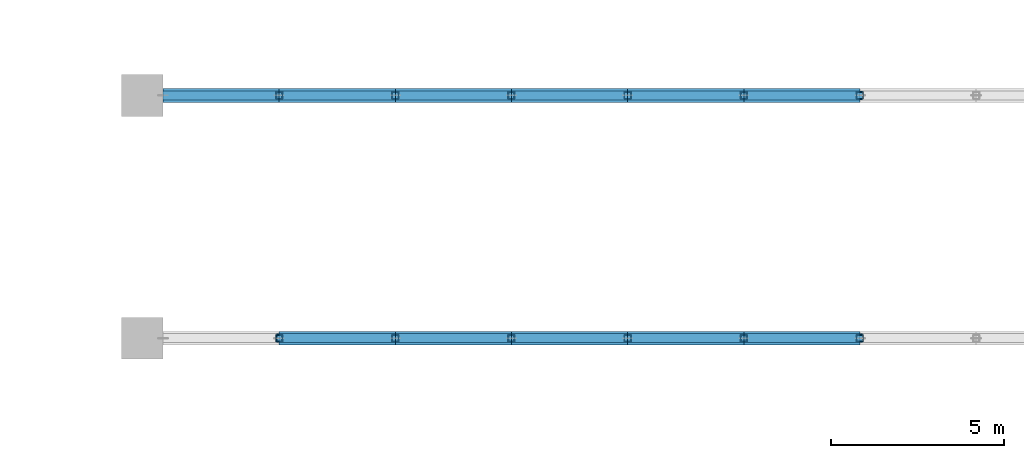
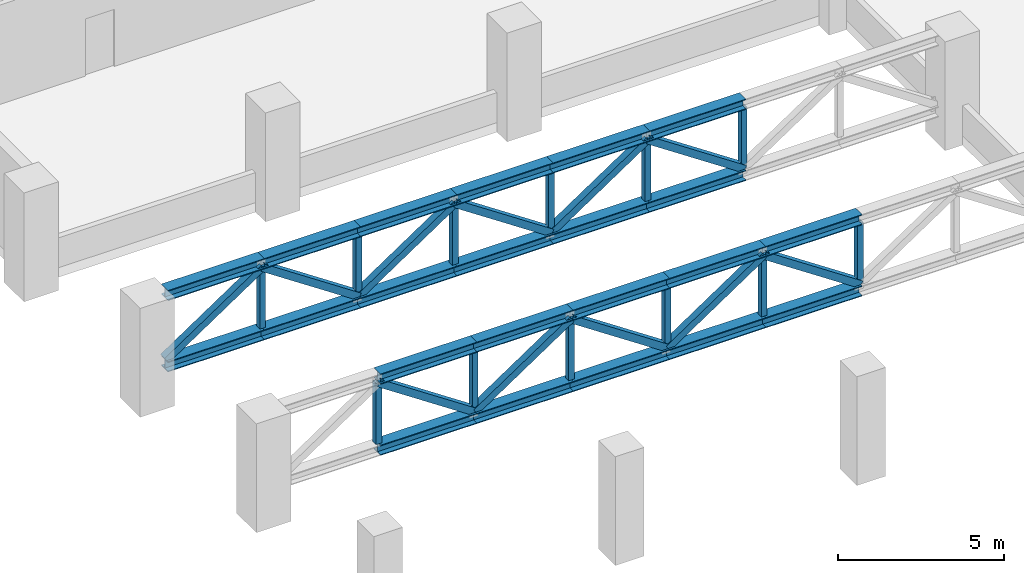
# One storey, part 2 of 24: 45 members.
"""IFC4 building model written with IfcOpenShell, lengths in metres."""

import ifcopenshell
import ifcopenshell.guid

model = None  # the IFC model being written
_history = None  # IfcOwnerHistory: only IFC2X3 demands one
_inside = {}  # id of a spatial element -> (the spatial element, [elements in it])
_under = {}  # id of a project, library or spatial element -> (it, [spatial elements below it])
_declared = {}  # id of a project -> (the project, [libraries it declares])
_typed = {}  # id of a type object -> (the type object, [elements of that type])
_made_of = {}  # id of a material, layer set ... -> (it, [elements and type objects made of it])


def new_model(schema):
    """Start an empty IFC model of exactly this schema.

    Asked for "IFC4X3", IfcOpenShell would pick the latest addendum, in which some entities
    have other attributes; the version numbers below select the first issue.
    IFC2X3 requires an IfcOwnerHistory on every rooted entity: one is made here for all.
    """
    global model, _history
    if schema == "IFC4X3":
        model = ifcopenshell.file(schema_version=(4, 3, 0, 0))
    else:
        model = ifcopenshell.file(schema=schema)
    _inside.clear()
    _under.clear()
    _declared.clear()
    _typed.clear()
    _made_of.clear()
    _history = None
    if model.schema == "IFC2X3":
        org = make("IfcOrganization", Name="unknown")
        user = make(
            "IfcPersonAndOrganization",
            ThePerson=make("IfcPerson", FamilyName="unknown"),
            TheOrganization=org,
        )
        app = make(
            "IfcApplication",
            ApplicationDeveloper=org,
            Version="unknown",
            ApplicationFullName="unknown",
            ApplicationIdentifier="unknown",
        )
        _history = make(
            "IfcOwnerHistory",
            OwningUser=user,
            OwningApplication=app,
            ChangeAction="ADDED",
            CreationDate=0,
        )
    return model


def make(cls, **values):
    """One entity of the class cls with the attributes given. An attribute that is None is left unset."""
    return model.create_entity(
        cls, **{name: value for name, value in values.items() if value is not None}
    )


def rooted(cls, **values):
    """An entity with a GlobalId (a new one), such as an element, a storey or a relation."""
    return make(cls, GlobalId=ifcopenshell.guid.new(), OwnerHistory=_history, **values)


def si_unit(unit_type, name, prefix=None):
    """IfcSIUnit, for example si_unit("LENGTHUNIT", "METRE", prefix="MILLI")."""
    return make("IfcSIUnit", UnitType=unit_type, Prefix=prefix, Name=name)


def assignment(units):
    """IfcUnitAssignment: the units of a project."""
    return None if units is None else make("IfcUnitAssignment", Units=units)


def point(xyz):
    """IfcCartesianPoint."""
    return None if xyz is None else make("IfcCartesianPoint", Coordinates=xyz)


def direction(xyz):
    """IfcDirection."""
    return None if xyz is None else make("IfcDirection", DirectionRatios=xyz)


def frame(location, z_axis=None, x_axis=None):
    """IfcAxis2Placement3D, a coordinate frame: its origin and axes. An axis left out is left unset."""
    return make(
        "IfcAxis2Placement3D",
        Location=point(location),
        Axis=direction(z_axis),
        RefDirection=direction(x_axis),
    )


def frame_2d(location, x_axis=None):
    """IfcAxis2Placement2D, a coordinate frame in the plane: its origin and x axis."""
    return make(
        "IfcAxis2Placement2D", Location=point(location), RefDirection=direction(x_axis)
    )


def origin():
    """The frame at (0, 0, 0) with its axes left unset."""
    return frame((0.0, 0.0, 0.0))


def origin_2d():
    """The frame at (0, 0) in the plane with its x axis left unset."""
    return frame_2d((0.0, 0.0))


def place(relative_to, where):
    """IfcLocalPlacement: puts the frame where relative to a parent placement (None: the world)."""
    return make(
        "IfcLocalPlacement", PlacementRelTo=relative_to, RelativePlacement=where
    )


def context(
    kind, dimensions, precision=None, world=None, true_north=None, identifier=None
):
    """IfcGeometricRepresentationContext, for example the 3D "Model" context."""
    return make(
        "IfcGeometricRepresentationContext",
        ContextIdentifier=identifier,
        ContextType=kind,
        CoordinateSpaceDimension=dimensions,
        Precision=precision,
        WorldCoordinateSystem=world,
        TrueNorth=true_north,
    )


def subcontext(parent, identifier, kind, view, scale=None):
    """IfcGeometricRepresentationSubContext, for example "Body" below "Model"."""
    return make(
        "IfcGeometricRepresentationSubContext",
        ContextIdentifier=identifier,
        ContextType=kind,
        ParentContext=parent,
        TargetScale=scale,
        TargetView=view,
    )


def project(units=None, contexts=None):
    """IfcProject with its units and contexts."""
    return rooted(
        "IfcProject",
        Name="project",
        RepresentationContexts=contexts,
        UnitsInContext=assignment(units),
    )


def spatial(cls, under=None, at=None, **own):
    """A site, building, storey or space (cls), placed at a placement, below another one or the project."""
    s = rooted(cls, ObjectPlacement=at, **own)
    if under is not None:
        _under.setdefault(under.id(), (under, []))[1].append(s)
    return s


def profile(cls, at=None, kind="AREA", **sizes):
    """A parametric profile (cls). Its sizes go by their IFC names, for example OverallWidth=200.0."""
    return make(cls, ProfileType=kind, Position=at, **sizes)


def hollow_rectangle(**sizes):
    """IfcRectangleHollowProfileDef."""
    return profile("IfcRectangleHollowProfileDef", **sizes)


def i_section(**sizes):
    """IfcIShapeProfileDef."""
    return profile("IfcIShapeProfileDef", **sizes)


def extrude(swept, where, along, depth):
    """IfcExtrudedAreaSolid: the profile swept, set in the frame where, extruded along a direction by depth."""
    return make(
        "IfcExtrudedAreaSolid",
        SweptArea=swept,
        Position=where,
        ExtrudedDirection=direction(along),
        Depth=depth,
    )


def shape(context_of_items, identifier, shape_type, items):
    """IfcShapeRepresentation: the items that make up one representation, for example the "Body"."""
    return make(
        "IfcShapeRepresentation",
        ContextOfItems=context_of_items,
        RepresentationIdentifier=identifier,
        RepresentationType=shape_type,
        Items=items,
    )


def material(Name=None, Category=None):
    """IfcMaterial."""
    return make("IfcMaterial", Name=Name, Category=Category)


def material_profile(
    of_material, cross_section, Name=None, Category=None, Priority=None
):
    """IfcMaterialProfile: a cross section and its material."""
    return make(
        "IfcMaterialProfile",
        Name=Name,
        Material=of_material,
        Profile=cross_section,
        Priority=Priority,
        Category=Category,
    )


def profile_set(profiles, Name=None, composite=None):
    """IfcMaterialProfileSet."""
    return make(
        "IfcMaterialProfileSet",
        Name=Name,
        MaterialProfiles=profiles,
        CompositeProfile=composite,
    )


def made_of(thing, what):
    """Note that an element or type object is made of a material, layer set ...; save() writes the relation."""
    if what is not None:
        _made_of.setdefault(what.id(), (what, []))[1].append(thing)
    return thing


def type_object(cls, material=None, **own):
    """A type object (cls), such as IfcWallType, which elements share."""
    return made_of(rooted(cls, **own), material)


def element(
    cls,
    number,
    at=None,
    inside=None,
    cuts=None,
    type_object=None,
    material=None,
    context=None,
    identifier="Body",
    shape_type=None,
    held_by="IfcProductDefinitionShape",
    body=None,
    shapes=None,
    **own,
):
    """One element of the class cls, such as IfcWall. Its Tag is "e" and its number.

    at: its placement. inside: the storey or other place that contains it. cuts: it is an
    opening in that element (IfcRelVoidsElement). A single representation is given by context,
    identifier, shape_type and body (its items); several are given by shapes. held_by: the class
    of the entity that holds the representations. save() writes the other relations.
    """
    e = rooted(cls, Tag="e%d" % number, ObjectPlacement=at, **own)
    if body is not None:
        shapes = [shape(context, identifier, shape_type, body)]
    if shapes is not None:
        e.Representation = make(held_by, Representations=shapes)
    if inside is not None:
        _inside.setdefault(inside.id(), (inside, []))[1].append(e)
    if cuts is not None:
        rooted(
            "IfcRelVoidsElement", RelatingBuildingElement=cuts, RelatedOpeningElement=e
        )
    if type_object is not None:
        _typed.setdefault(type_object.id(), (type_object, []))[1].append(e)
    return made_of(e, material)


def aggregate(whole, parts):
    """IfcRelAggregates: a whole, such as a stair, and the parts it consists of."""
    return rooted("IfcRelAggregates", RelatingObject=whole, RelatedObjects=parts)


def save(model, path):
    """Write the relations noted so far, then the file.

    IfcRelAggregates (storeys below a building ...), IfcRelContainedInSpatialStructure (elements
    in a storey), IfcRelDefinesByType, IfcRelAssociatesMaterial and IfcRelDeclares: one each for
    every whole, place, type object, material and project.
    """
    for whole, parts in _under.values():
        aggregate(whole, parts)
    for where, things in _inside.values():
        rooted(
            "IfcRelContainedInSpatialStructure",
            RelatedElements=things,
            RelatingStructure=where,
        )
    for kind, things in _typed.values():
        rooted("IfcRelDefinesByType", RelatedObjects=things, RelatingType=kind)
    for what, things in _made_of.values():
        rooted("IfcRelAssociatesMaterial", RelatedObjects=things, RelatingMaterial=what)
    for by, libraries in _declared.values():
        rooted("IfcRelDeclares", RelatingContext=by, RelatedDefinitions=libraries)
    model.write(path)


model = new_model("IFC4")

# Units and contexts
model_context = context("Model", 3, precision=1e-05, world=origin(), true_north=direction((0.0, 1.0)))
body_context = subcontext(model_context, "Body", "Model", "MODEL_VIEW")
ifc_project = project(units=[si_unit("LENGTHUNIT", "METRE"), si_unit("AREAUNIT", "SQUARE_METRE"), si_unit("VOLUMEUNIT", "CUBIC_METRE"), si_unit("PLANEANGLEUNIT", "RADIAN"), si_unit("MASSUNIT", "GRAM", prefix="KILO")], contexts=[model_context])

# Site, building, storey
site_placement = place(None, origin())
site = spatial("IfcSite", under=ifc_project, at=site_placement, CompositionType="ELEMENT")
building_placement = place(site_placement, origin())
building = spatial("IfcBuilding", under=site, at=building_placement, Name="Ostrander Bayou Hotel Tower", CompositionType="ELEMENT")
storey_placement = place(building_placement, frame((0.0, 0.0, 6.0)))
storey = spatial("IfcBuildingStorey", under=building, at=storey_placement, Name="L01", CompositionType="ELEMENT", Elevation=6.0)

# Members
ifc_material_1 = material(Name="Steel ASTM A992", Category="steel")
ifc_material_profile_1 = material_profile(ifc_material_1, i_section(OverallWidth=0.3955078125, OverallDepth=0.38037109375, WebThickness=0.01904296875, FlangeThickness=0.0302734375, at=origin_2d()))
ifc_profile_set_1 = profile_set([ifc_material_profile_1], Name="Steel ASTM A992")
member_type_1 = type_object("IfcMemberType", Name="BR1 ballroom truss chord W14x159", PredefinedType="CHORD", material=ifc_profile_set_1)
for number, where, z_axis, x_axis, name in (
    (1, (-38.050048828125, -43.39990234375, 0.840087890625), (1.0, 0.0, 0.0), (0.0, 1.0, 0.0), "BR1 T1 B2"),
    (2, (-38.050048828125, -43.39990234375, 3.459716796875), (1.0, 0.0, 0.0), (0.0, 1.0, 0.0), "BR1 T1 T2"),
):
    element("IfcMember", number, at=place(storey_placement, frame(where, z_axis=z_axis, x_axis=x_axis)), inside=storey, type_object=member_type_1, Name=name, PredefinedType="CHORD", context=body_context, shape_type="SweptSolid", body=[
        extrude(i_section(OverallWidth=0.3955078125, OverallDepth=0.38037109375, WebThickness=0.01904296875, FlangeThickness=0.0302734375, at=origin_2d()), origin(), (0.0, 0.0, 1.0), 3.35009765625),
    ])
for number, where, z_axis, x_axis, name in (
    (3, (-34.699951171875, -43.39990234375, 0.840087890625), (1.0, 0.0, 0.0), (0.0, 1.0, 0.0), "BR1 T1 B3"),
    (4, (-34.699951171875, -43.39990234375, 3.459716796875), (1.0, 0.0, 0.0), (0.0, 1.0, 0.0), "BR1 T1 T3"),
):
    element("IfcMember", number, at=place(storey_placement, frame(where, z_axis=z_axis, x_axis=x_axis)), inside=storey, type_object=member_type_1, Name=name, PredefinedType="CHORD", context=body_context, shape_type="SweptSolid", body=[
        extrude(i_section(OverallWidth=0.3955078125, OverallDepth=0.38037109375, WebThickness=0.01904296875, FlangeThickness=0.0302734375, at=origin_2d()), origin(), (0.0, 0.0, 1.0), 3.349853515625),
    ])
for number, where, z_axis, x_axis, name in (
    (5, (-31.35009765625, -43.39990234375, 0.840087890625), (1.0, 0.0, 0.0), (0.0, 1.0, 0.0), "BR1 T1 B4"),
    (6, (-31.35009765625, -43.39990234375, 3.459716796875), (1.0, 0.0, 0.0), (0.0, 1.0, 0.0), "BR1 T1 T4"),
    (7, (-28.0, -43.39990234375, 0.840087890625), (1.0, 0.0, 0.0), (0.0, 1.0, 0.0), "BR1 T1 B5"),
    (8, (-28.0, -43.39990234375, 3.459716796875), (1.0, 0.0, 0.0), (0.0, 1.0, 0.0), "BR1 T1 T5"),
):
    element("IfcMember", number, at=place(storey_placement, frame(where, z_axis=z_axis, x_axis=x_axis)), inside=storey, type_object=member_type_1, Name=name, PredefinedType="CHORD", context=body_context, shape_type="SweptSolid", body=[
        extrude(i_section(OverallWidth=0.3955078125, OverallDepth=0.38037109375, WebThickness=0.01904296875, FlangeThickness=0.0302734375, at=origin_2d()), origin(), (0.0, 0.0, 1.0), 3.35009765625),
    ])
for number, where, z_axis, x_axis, name in (
    (9, (-24.64990234375, -43.39990234375, 0.840087890625), (1.0, 0.0, 0.0), (0.0, 1.0, 0.0), "BR1 T1 B6"),
    (10, (-24.64990234375, -43.39990234375, 3.459716796875), (1.0, 0.0, 0.0), (0.0, 1.0, 0.0), "BR1 T1 T6"),
    (11, (-41.39990234375, -36.39990234375, 0.840087890625), (1.0, 0.0, 0.0), (0.0, 1.0, 0.0), "BR1 T2 B1"),
    (12, (-41.39990234375, -36.39990234375, 3.459716796875), (1.0, 0.0, 0.0), (0.0, 1.0, 0.0), "BR1 T2 T1"),
):
    element("IfcMember", number, at=place(storey_placement, frame(where, z_axis=z_axis, x_axis=x_axis)), inside=storey, type_object=member_type_1, Name=name, PredefinedType="CHORD", context=body_context, shape_type="SweptSolid", body=[
        extrude(i_section(OverallWidth=0.3955078125, OverallDepth=0.38037109375, WebThickness=0.01904296875, FlangeThickness=0.0302734375, at=origin_2d()), origin(), (0.0, 0.0, 1.0), 3.349853515625),
    ])
for number, where, z_axis, x_axis, name in (
    (13, (-38.050048828125, -36.39990234375, 0.840087890625), (1.0, 0.0, 0.0), (0.0, 1.0, 0.0), "BR1 T2 B2"),
    (14, (-38.050048828125, -36.39990234375, 3.459716796875), (1.0, 0.0, 0.0), (0.0, 1.0, 0.0), "BR1 T2 T2"),
):
    element("IfcMember", number, at=place(storey_placement, frame(where, z_axis=z_axis, x_axis=x_axis)), inside=storey, type_object=member_type_1, Name=name, PredefinedType="CHORD", context=body_context, shape_type="SweptSolid", body=[
        extrude(i_section(OverallWidth=0.3955078125, OverallDepth=0.38037109375, WebThickness=0.01904296875, FlangeThickness=0.0302734375, at=origin_2d()), origin(), (0.0, 0.0, 1.0), 3.35009765625),
    ])
for number, where, z_axis, x_axis, name in (
    (15, (-34.699951171875, -36.39990234375, 0.840087890625), (1.0, 0.0, 0.0), (0.0, 1.0, 0.0), "BR1 T2 B3"),
    (16, (-34.699951171875, -36.39990234375, 3.459716796875), (1.0, 0.0, 0.0), (0.0, 1.0, 0.0), "BR1 T2 T3"),
):
    element("IfcMember", number, at=place(storey_placement, frame(where, z_axis=z_axis, x_axis=x_axis)), inside=storey, type_object=member_type_1, Name=name, PredefinedType="CHORD", context=body_context, shape_type="SweptSolid", body=[
        extrude(i_section(OverallWidth=0.3955078125, OverallDepth=0.38037109375, WebThickness=0.01904296875, FlangeThickness=0.0302734375, at=origin_2d()), origin(), (0.0, 0.0, 1.0), 3.349853515625),
    ])
for number, where, z_axis, x_axis, name in (
    (17, (-31.35009765625, -36.39990234375, 0.840087890625), (1.0, 0.0, 0.0), (0.0, 1.0, 0.0), "BR1 T2 B4"),
    (18, (-31.35009765625, -36.39990234375, 3.459716796875), (1.0, 0.0, 0.0), (0.0, 1.0, 0.0), "BR1 T2 T4"),
    (19, (-28.0, -36.39990234375, 0.840087890625), (1.0, 0.0, 0.0), (0.0, 1.0, 0.0), "BR1 T2 B5"),
    (20, (-28.0, -36.39990234375, 3.459716796875), (1.0, 0.0, 0.0), (0.0, 1.0, 0.0), "BR1 T2 T5"),
):
    element("IfcMember", number, at=place(storey_placement, frame(where, z_axis=z_axis, x_axis=x_axis)), inside=storey, type_object=member_type_1, Name=name, PredefinedType="CHORD", context=body_context, shape_type="SweptSolid", body=[
        extrude(i_section(OverallWidth=0.3955078125, OverallDepth=0.38037109375, WebThickness=0.01904296875, FlangeThickness=0.0302734375, at=origin_2d()), origin(), (0.0, 0.0, 1.0), 3.35009765625),
    ])
for number, where, z_axis, x_axis, name in (
    (21, (-24.64990234375, -36.39990234375, 0.840087890625), (1.0, 0.0, 0.0), (0.0, 1.0, 0.0), "BR1 T2 B6"),
    (22, (-24.64990234375, -36.39990234375, 3.459716796875), (1.0, 0.0, 0.0), (0.0, 1.0, 0.0), "BR1 T2 T6"),
):
    element("IfcMember", number, at=place(storey_placement, frame(where, z_axis=z_axis, x_axis=x_axis)), inside=storey, type_object=member_type_1, Name=name, PredefinedType="CHORD", context=body_context, shape_type="SweptSolid", body=[
        extrude(i_section(OverallWidth=0.3955078125, OverallDepth=0.38037109375, WebThickness=0.01904296875, FlangeThickness=0.0302734375, at=origin_2d()), origin(), (0.0, 0.0, 1.0), 3.349853515625),
    ])
ifc_material_2 = material(Name="Steel ASTM A500 Gr C", Category="steel")
ifc_material_profile_2 = material_profile(ifc_material_2, hollow_rectangle(XDim=0.25390625, YDim=0.25390625, WallThickness=0.01171875, at=origin_2d()))
ifc_profile_set_2 = profile_set([ifc_material_profile_2], Name="Steel ASTM A500 Gr C")
member_type_2 = type_object("IfcMemberType", Name="BR2 ballroom truss diagonal HSS10x10x1/2", PredefinedType="BRACE", material=ifc_profile_set_2)
member_1_placement = place(storey_placement, frame((-34.699951171875, -43.39990234375, 1.030517578125), z_axis=(-0.831406556146, 0.0, 0.555664591635), x_axis=(0.0, -1.0, 0.0)))
element("IfcMember", 23, at=member_1_placement, inside=storey, type_object=member_type_2, Name="BR2 T1 D2", PredefinedType="BRACE", context=body_context, shape_type="SweptSolid", body=[
    extrude(hollow_rectangle(XDim=0.25390625, YDim=0.25390625, WallThickness=0.01171875, at=origin_2d()), origin(), (0.0, 0.0, 1.0), 4.029541015625),
])
member_2_placement = place(storey_placement, frame((-34.699951171875, -43.39990234375, 1.030517578125), z_axis=(0.831387846986, 0.0, 0.555692583974), x_axis=(0.0, 1.0, 0.0)))
element("IfcMember", 24, at=member_2_placement, inside=storey, type_object=member_type_2, Name="BR2 T1 D3", PredefinedType="BRACE", context=body_context, shape_type="SweptSolid", body=[
    extrude(hollow_rectangle(XDim=0.25390625, YDim=0.25390625, WallThickness=0.01171875, at=origin_2d()), origin(), (0.0, 0.0, 1.0), 4.029296875),
])
for number, where, z_axis, x_axis, name in (
    (25, (-28.0, -43.39990234375, 1.030517578125), (-0.831406556146, 0.0, 0.555664591635), (0.0, -1.0, 0.0), "BR2 T1 D4"),
    (26, (-28.0, -43.39990234375, 1.030517578125), (0.831406556146, 0.0, 0.555664591635), (0.0, 1.0, 0.0), "BR2 T1 D5"),
):
    element("IfcMember", number, at=place(storey_placement, frame(where, z_axis=z_axis, x_axis=x_axis)), inside=storey, type_object=member_type_2, Name=name, PredefinedType="BRACE", context=body_context, shape_type="SweptSolid", body=[
        extrude(hollow_rectangle(XDim=0.25390625, YDim=0.25390625, WallThickness=0.01171875, at=origin_2d()), origin(), (0.0, 0.0, 1.0), 4.029541015625),
    ])
for number, where, z_axis, x_axis, name in (
    (27, (-21.300048828125, -43.39990234375, 1.030517578125), (-0.831387846986, 0.0, 0.555692583974), (0.0, -1.0, 0.0), "BR2 T1 D6"),
    (28, (-41.39990234375, -36.39990234375, 1.030517578125), (0.831387846986, 0.0, 0.555692583974), (0.0, 1.0, 0.0), "BR2 T2 D1"),
):
    element("IfcMember", number, at=place(storey_placement, frame(where, z_axis=z_axis, x_axis=x_axis)), inside=storey, type_object=member_type_2, Name=name, PredefinedType="BRACE", context=body_context, shape_type="SweptSolid", body=[
        extrude(hollow_rectangle(XDim=0.25390625, YDim=0.25390625, WallThickness=0.01171875, at=origin_2d()), origin(), (0.0, 0.0, 1.0), 4.029296875),
    ])
member_3_placement = place(storey_placement, frame((-34.699951171875, -36.39990234375, 1.030517578125), z_axis=(-0.831406556146, 0.0, 0.555664591635), x_axis=(0.0, -1.0, 0.0)))
element("IfcMember", 29, at=member_3_placement, inside=storey, type_object=member_type_2, Name="BR2 T2 D2", PredefinedType="BRACE", context=body_context, shape_type="SweptSolid", body=[
    extrude(hollow_rectangle(XDim=0.25390625, YDim=0.25390625, WallThickness=0.01171875, at=origin_2d()), origin(), (0.0, 0.0, 1.0), 4.029541015625),
])
member_4_placement = place(storey_placement, frame((-34.699951171875, -36.39990234375, 1.030517578125), z_axis=(0.831387846986, 0.0, 0.555692583974), x_axis=(0.0, 1.0, 0.0)))
element("IfcMember", 30, at=member_4_placement, inside=storey, type_object=member_type_2, Name="BR2 T2 D3", PredefinedType="BRACE", context=body_context, shape_type="SweptSolid", body=[
    extrude(hollow_rectangle(XDim=0.25390625, YDim=0.25390625, WallThickness=0.01171875, at=origin_2d()), origin(), (0.0, 0.0, 1.0), 4.029296875),
])
for number, where, z_axis, x_axis, name in (
    (31, (-28.0, -36.39990234375, 1.030517578125), (-0.831406556146, 0.0, 0.555664591635), (0.0, -1.0, 0.0), "BR2 T2 D4"),
    (32, (-28.0, -36.39990234375, 1.030517578125), (0.831406556146, 0.0, 0.555664591635), (0.0, 1.0, 0.0), "BR2 T2 D5"),
):
    element("IfcMember", number, at=place(storey_placement, frame(where, z_axis=z_axis, x_axis=x_axis)), inside=storey, type_object=member_type_2, Name=name, PredefinedType="BRACE", context=body_context, shape_type="SweptSolid", body=[
        extrude(hollow_rectangle(XDim=0.25390625, YDim=0.25390625, WallThickness=0.01171875, at=origin_2d()), origin(), (0.0, 0.0, 1.0), 4.029541015625),
    ])
member_5_placement = place(storey_placement, frame((-21.300048828125, -36.39990234375, 1.030517578125), z_axis=(-0.831387846986, 0.0, 0.555692583974), x_axis=(0.0, -1.0, 0.0)))
element("IfcMember", 33, at=member_5_placement, inside=storey, type_object=member_type_2, Name="BR2 T2 D6", PredefinedType="BRACE", context=body_context, shape_type="SweptSolid", body=[
    extrude(hollow_rectangle(XDim=0.25390625, YDim=0.25390625, WallThickness=0.01171875, at=origin_2d()), origin(), (0.0, 0.0, 1.0), 4.029296875),
])
ifc_material_3 = material(Name="Steel ASTM A500 Gr C", Category="steel")
ifc_material_profile_3 = material_profile(ifc_material_3, hollow_rectangle(XDim=0.203125, YDim=0.203125, WallThickness=0.01171875, at=origin_2d()))
ifc_profile_set_3 = profile_set([ifc_material_profile_3], Name="Steel ASTM A500 Gr C")
member_type_3 = type_object("IfcMemberType", Name="BR3 ballroom truss post HSS8x8x1/2", PredefinedType="POST", material=ifc_profile_set_3)
for number, where, z_axis, x_axis, name in (
    (34, (-38.050048828125, -43.39990234375, 1.030517578125), (0.0, 0.0, 1.0), (1.0, 0.0, 0.0), "BR3 T1 P1"),
    (35, (-34.699951171875, -43.39990234375, 1.030517578125), (0.0, 0.0, 1.0), (1.0, 0.0, 0.0), "BR3 T1 P2"),
    (36, (-31.35009765625, -43.39990234375, 1.030517578125), (0.0, 0.0, 1.0), (1.0, 0.0, 0.0), "BR3 T1 P3"),
    (37, (-28.0, -43.39990234375, 1.030517578125), (0.0, 0.0, 1.0), (1.0, 0.0, 0.0), "BR3 T1 P4"),
    (38, (-24.64990234375, -43.39990234375, 1.030517578125), (0.0, 0.0, 1.0), (1.0, 0.0, 0.0), "BR3 T1 P5"),
    (39, (-21.300048828125, -43.39990234375, 1.030517578125), (0.0, 0.0, 1.0), (1.0, 0.0, 0.0), "BR3 T1 P6"),
    (40, (-38.050048828125, -36.39990234375, 1.030517578125), (0.0, 0.0, 1.0), (1.0, 0.0, 0.0), "BR3 T2 P1"),
    (41, (-34.699951171875, -36.39990234375, 1.030517578125), (0.0, 0.0, 1.0), (1.0, 0.0, 0.0), "BR3 T2 P2"),
    (42, (-31.35009765625, -36.39990234375, 1.030517578125), (0.0, 0.0, 1.0), (1.0, 0.0, 0.0), "BR3 T2 P3"),
    (43, (-28.0, -36.39990234375, 1.030517578125), (0.0, 0.0, 1.0), (1.0, 0.0, 0.0), "BR3 T2 P4"),
    (44, (-24.64990234375, -36.39990234375, 1.030517578125), (0.0, 0.0, 1.0), (1.0, 0.0, 0.0), "BR3 T2 P5"),
    (45, (-21.300048828125, -36.39990234375, 1.030517578125), (0.0, 0.0, 1.0), (1.0, 0.0, 0.0), "BR3 T2 P6"),
):
    element("IfcMember", number, at=place(storey_placement, frame(where, z_axis=z_axis, x_axis=x_axis)), inside=storey, type_object=member_type_3, Name=name, PredefinedType="POST", context=body_context, shape_type="SweptSolid", body=[
        extrude(hollow_rectangle(XDim=0.203125, YDim=0.203125, WallThickness=0.01171875, at=origin_2d()), origin(), (0.0, 0.0, 1.0), 2.239013671875),
    ])

save(model, "model.ifc")
